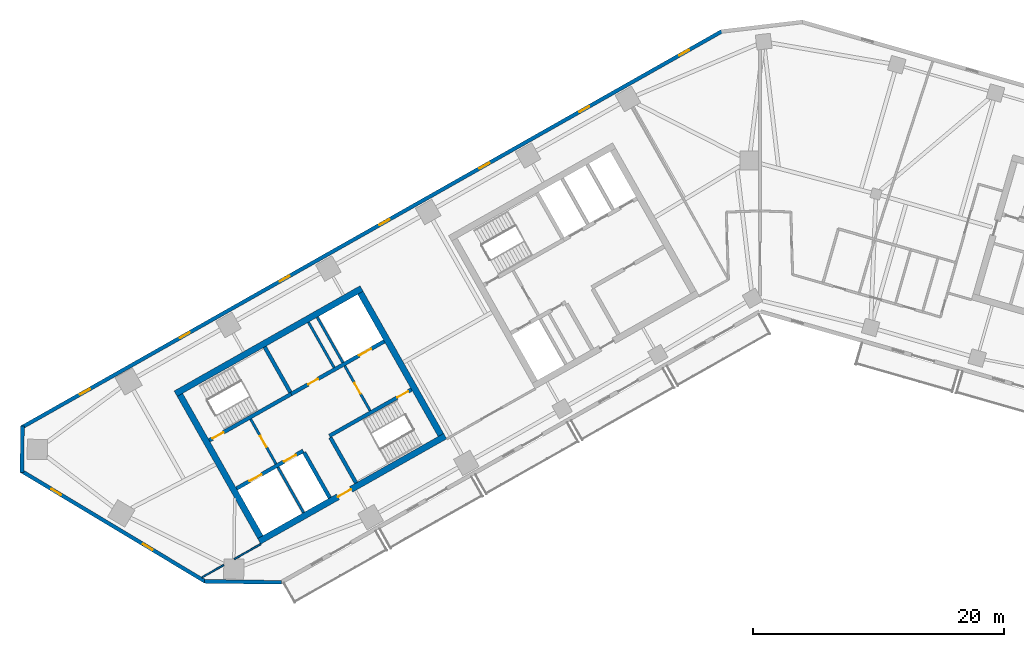
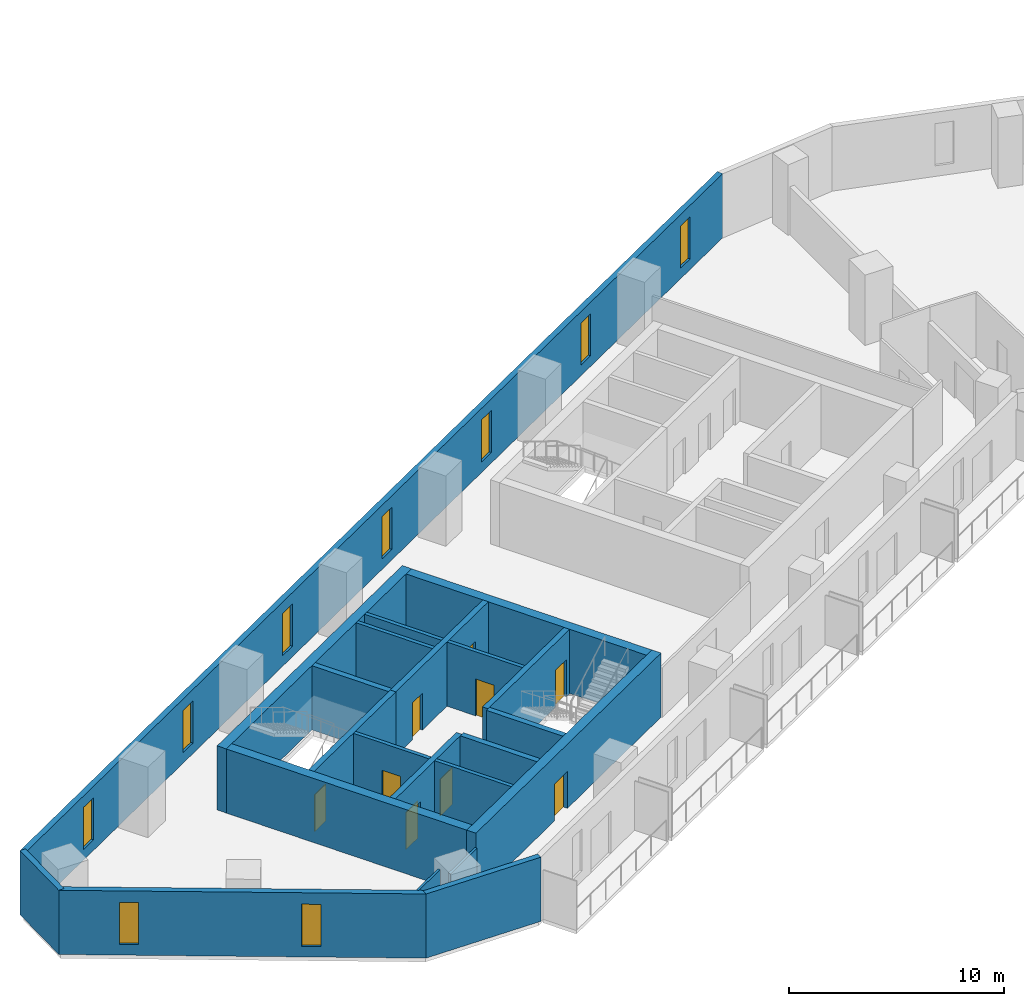
# One storey, part 3 of 9: 22 walls, 9 doors, 9 windows, 18 openings.
"""IFC4 building model written with IfcOpenShell, lengths in metres."""

from ifc_helpers import new_model, si_unit, direction, frame, frame_2d, origin, place, context, subcontext, project, spatial, rectangle, extrude, material, layer, layer_set, type_object, element, fill, save


model = new_model("IFC4")

# Units and contexts
model_context = context("Model", 3, precision=1e-05, world=origin(), true_north=direction((0.0, 1.0)))
body_context = subcontext(model_context, "Body", "Model", "MODEL_VIEW")
ifc_project = project(units=[si_unit("LENGTHUNIT", "METRE"), si_unit("AREAUNIT", "SQUARE_METRE"), si_unit("VOLUMEUNIT", "CUBIC_METRE"), si_unit("PLANEANGLEUNIT", "RADIAN"), si_unit("MASSUNIT", "GRAM", prefix="KILO")], contexts=[model_context])

# Site, building, storey
site_placement = place(None, origin())
site = spatial("IfcSite", under=ifc_project, at=site_placement, CompositionType="ELEMENT")
building_placement = place(site_placement, origin())
building = spatial("IfcBuilding", under=site, at=building_placement, Name="Binnacle Exchange Tower", CompositionType="ELEMENT")
storey_placement = place(building_placement, frame((0.0, 0.0, 198.89990234375)))
storey = spatial("IfcBuildingStorey", under=building, at=storey_placement, Name="L43", CompositionType="ELEMENT", Elevation=198.89990234375)

# Wall, openings, doors
ifc_material_1 = material(Name="Concrete C70/85", Category="concrete")
ifc_layer_1 = layer(ifc_material_1, 0.300048828125)
ifc_layer_set_1 = layer_set([ifc_layer_1], Name="Core wall - front 300")
wall_type_1 = type_object("IfcWallType", Name="Core wall - front 300", PredefinedType="SOLIDWALL", material=ifc_layer_set_1)
wall_1_placement = place(storey_placement, frame((-41.64306640625, 33.91162109375, 0.0), z_axis=(0.0, 0.0, 1.0), x_axis=(0.870343599782, 0.492444939378, 0.0)))
wall_1 = element("IfcWall", 1, at=wall_1_placement, inside=storey, type_object=wall_type_1, Name="Core wall CRWA2", PredefinedType="SOLIDWALL", context=body_context, shape_type="SweptSolid", body=[
    extrude(rectangle(XDim=6.10009765625, YDim=0.300048828125, at=frame_2d((3.050048828125, 0.0))), origin(), (0.0, 0.0, 1.0), 3.650146484375),
])
opening_1_placement = place(wall_1_placement, frame((1.199951171875, 0.0, 0.0)))
opening_1 = element("IfcOpeningElement", 2, at=opening_1_placement, cuts=wall_1, Name="Opening LD12", PredefinedType="OPENING", context=body_context, shape_type="SweptSolid", body=[
    extrude(rectangle(XDim=1.10009765625, YDim=2.10009765625, at=frame_2d((0.550048828125, 1.050048828125))), frame((0.0, 0.159912109375, 0.0), z_axis=(0.0, -1.0, 0.0), x_axis=(1.0, 0.0, 0.0)), (0.0, 0.0, 1.0), 0.320068359375),
])
opening_2_placement = place(wall_1_placement, frame((4.35009765625, 0.0, 0.0)))
opening_2 = element("IfcOpeningElement", 3, at=opening_2_placement, cuts=wall_1, Name="Opening LD8", PredefinedType="OPENING", context=body_context, shape_type="SweptSolid", body=[
    extrude(rectangle(XDim=1.10009765625, YDim=2.10009765625, at=frame_2d((0.550048828125, 1.050048828125))), frame((0.0, 0.159912109375, 0.0), z_axis=(0.0, -1.0, 0.0), x_axis=(1.0, 0.0, 0.0)), (0.0, 0.0, 1.0), 0.320068359375),
])
ifc_material_2 = material(Name="Steel door leaf", Category="steel")
door_type_1 = type_object("IfcDoorType", Name="Fire door - lift landing 1100", OperationType="NOTDEFINED", PredefinedType="DOOR", material=ifc_material_2)
door_1_placement = place(opening_1_placement, origin())
door_1 = element("IfcDoor", 4, at=door_1_placement, inside=storey, type_object=door_type_1, Name="Landing door LD12 L43", OperationType="DOUBLE_DOOR_SLIDING", OverallHeight=2.10009765625, OverallWidth=1.10009765625, PredefinedType="DOOR", context=body_context, shape_type="SweptSolid", body=[
    extrude(rectangle(XDim=1.10009765625, YDim=2.10009765625, at=frame_2d((0.550048828125, 1.050048828125))), frame((0.0, 0.02490234375, 0.0), z_axis=(0.0, -1.0, 0.0), x_axis=(1.0, 0.0, 0.0)), (0.0, 0.0, 1.0), 0.050048828125),
])
fill(opening_1, door_1)
door_2_placement = place(opening_2_placement, origin())
door_2 = element("IfcDoor", 5, at=door_2_placement, inside=storey, type_object=door_type_1, Name="Landing door LD8 L43", OperationType="DOUBLE_DOOR_SLIDING", OverallHeight=2.10009765625, OverallWidth=1.10009765625, PredefinedType="DOOR", context=body_context, shape_type="SweptSolid", body=[
    extrude(rectangle(XDim=1.10009765625, YDim=2.10009765625, at=frame_2d((0.550048828125, 1.050048828125))), frame((0.0, 0.02490234375, 0.0), z_axis=(0.0, -1.0, 0.0), x_axis=(1.0, 0.0, 0.0)), (0.0, 0.0, 1.0), 0.050048828125),
])
fill(opening_2, door_2)

wall_2_placement = place(storey_placement, frame((-37.281982421875, 41.4345703125, 0.0), z_axis=(0.0, 0.0, 1.0), x_axis=(0.870356271124, 0.492422543467, 0.0)))
wall_2 = element("IfcWall", 6, at=wall_2_placement, inside=storey, type_object=wall_type_1, Name="Core wall CRWA5", PredefinedType="SOLIDWALL", context=body_context, shape_type="SweptSolid", body=[
    extrude(rectangle(XDim=8.5, YDim=0.300048828125, at=frame_2d((4.25, 0.0))), origin(), (0.0, 0.0, 1.0), 3.650146484375),
])
opening_3_placement = place(wall_2_placement, frame((6.199951171875, 0.0, 0.0)))
opening_3 = element("IfcOpeningElement", 7, at=opening_3_placement, cuts=wall_2, Name="Opening LD13", PredefinedType="OPENING", context=body_context, shape_type="SweptSolid", body=[
    extrude(rectangle(XDim=1.10009765625, YDim=2.10009765625, at=frame_2d((0.550048828125, 1.050048828125))), frame((0.0, 0.159912109375, 0.0), z_axis=(0.0, -1.0, 0.0), x_axis=(1.0, 0.0, 0.0)), (0.0, 0.0, 1.0), 0.320068359375),
])
opening_4_placement = place(wall_2_placement, frame((1.550048828125, 0.0, 0.0)))
opening_4 = element("IfcOpeningElement", 8, at=opening_4_placement, cuts=wall_2, Name="Opening DA10", PredefinedType="OPENING", context=body_context, shape_type="SweptSolid", body=[
    extrude(rectangle(XDim=0.89990234375, YDim=2.10009765625, at=frame_2d((0.449951171875, 1.050048828125))), frame((0.0, 0.159912109375, 0.0), z_axis=(0.0, -1.0, 0.0), x_axis=(1.0, 0.0, 0.0)), (0.0, 0.0, 1.0), 0.320068359375),
])
door_3_placement = place(opening_3_placement, origin())
door_3 = element("IfcDoor", 9, at=door_3_placement, inside=storey, type_object=door_type_1, Name="Landing door LD13 L43", OperationType="DOUBLE_DOOR_SLIDING", OverallHeight=2.10009765625, OverallWidth=1.10009765625, PredefinedType="DOOR", context=body_context, shape_type="SweptSolid", body=[
    extrude(rectangle(XDim=1.10009765625, YDim=2.10009765625, at=frame_2d((0.550048828125, 1.050048828125))), frame((0.0, 0.02490234375, 0.0), z_axis=(0.0, -1.0, 0.0), x_axis=(1.0, 0.0, 0.0)), (0.0, 0.0, 1.0), 0.050048828125),
])
fill(opening_3, door_3)
door_type_2 = type_object("IfcDoorType", Name="Fire door 900", OperationType="NOTDEFINED", PredefinedType="DOOR", material=ifc_material_2)
door_4_placement = place(opening_4_placement, origin())
door_4 = element("IfcDoor", 10, at=door_4_placement, inside=storey, type_object=door_type_2, Name="Core room door PANTRY", OperationType="SINGLE_SWING_LEFT", OverallHeight=2.10009765625, OverallWidth=0.89990234375, PredefinedType="DOOR", context=body_context, shape_type="SweptSolid", body=[
    extrude(rectangle(XDim=0.89990234375, YDim=2.10009765625, at=frame_2d((0.449951171875, 1.050048828125))), frame((0.0, 0.02490234375, 0.0), z_axis=(0.0, -1.0, 0.0), x_axis=(1.0, 0.0, 0.0)), (0.0, 0.0, 1.0), 0.050048828125),
])
fill(opening_4, door_4)

# Wall
wall_3_placement = place(storey_placement, frame((-36.260009765625, 36.784912109375, 0.0), z_axis=(0.0, 0.0, 1.0), x_axis=(0.492421666909, -0.870356767055, 0.0)))
element("IfcWall", 11, at=wall_3_placement, inside=storey, type_object=wall_type_1, Name="Core wall CRWA13", PredefinedType="SOLIDWALL", context=body_context, shape_type="SweptSolid", body=[
    extrude(rectangle(XDim=4.14990234375, YDim=0.300048828125, at=frame_2d((2.074951171875, 0.0))), origin(), (0.0, 0.0, 1.0), 3.650146484375),
])

# Wall, opening, door
ifc_layer_2 = layer(ifc_material_1, 0.5)
ifc_layer_set_2 = layer_set([ifc_layer_2], Name="Core wall - outer 500")
wall_type_2 = type_object("IfcWallType", Name="Core wall - outer 500", PredefinedType="SOLIDWALL", material=ifc_layer_set_2)
wall_4_placement = place(storey_placement, frame((-39.837646484375, 29.705322265625, 0.0), z_axis=(0.0, 0.0, 1.0), x_axis=(0.870350116061, 0.492433422375, 0.0)))
wall_4 = element("IfcWall", 12, at=wall_4_placement, inside=storey, type_object=wall_type_2, Name="Core wall CRWA1", PredefinedType="SOLIDWALL", context=body_context, shape_type="SweptSolid", body=[
    extrude(rectangle(XDim=17.0, YDim=0.5, at=frame_2d((8.5, 0.0))), origin(), (0.0, 0.0, 1.0), 3.650146484375),
])
opening_5_placement = place(wall_4_placement, frame((7.199951171875, 0.0, 0.0)))
opening_5 = element("IfcOpeningElement", 13, at=opening_5_placement, cuts=wall_4, Name="Opening DA7", PredefinedType="OPENING", context=body_context, shape_type="SweptSolid", body=[
    extrude(rectangle(XDim=1.199951171875, YDim=2.10009765625, at=frame_2d((0.60009765625, 1.050048828125))), frame((0.0, 0.260009765625, 0.0), z_axis=(0.0, -1.0, 0.0), x_axis=(1.0, 0.0, 0.0)), (0.0, 0.0, 1.0), 0.52001953125),
])
door_type_3 = type_object("IfcDoorType", Name="Fire door 1200", OperationType="NOTDEFINED", PredefinedType="DOOR", material=ifc_material_2)
door_5_placement = place(opening_5_placement, frame((1.199951171875, 0.0, 0.0), z_axis=(0.0, 0.0, 1.0), x_axis=(-1.0, 0.0, 0.0)))
door_5 = element("IfcDoor", 14, at=door_5_placement, inside=storey, type_object=door_type_3, Name="Lift lobby entrance door core A", OperationType="SINGLE_SWING_RIGHT", OverallHeight=2.10009765625, OverallWidth=1.199951171875, PredefinedType="DOOR", context=body_context, shape_type="SweptSolid", body=[
    extrude(rectangle(XDim=1.199951171875, YDim=2.10009765625, at=frame_2d((0.60009765625, 1.050048828125))), frame((0.0, 0.02490234375, 0.0), z_axis=(0.0, -1.0, 0.0), x_axis=(1.0, 0.0, 0.0)), (0.0, 0.0, 1.0), 0.050048828125),
])
fill(opening_5, door_5)

# Walls
wall_5_placement = place(storey_placement, frame((-46.485595703125, 41.455078125, 0.0), z_axis=(0.0, 0.0, 1.0), x_axis=(0.870353598469, 0.492427267353, 0.0)))
element("IfcWall", 15, at=wall_5_placement, inside=storey, type_object=wall_type_2, Name="Core wall CRWA6", PredefinedType="SOLIDWALL", context=body_context, shape_type="SweptSolid", body=[
    extrude(rectangle(XDim=17.000244140625, YDim=0.5, at=frame_2d((8.5, 0.0))), origin(), (0.0, 0.0, 1.0), 3.650146484375),
])
for number, where, z_axis, x_axis, name in (
    (16, (-46.144775390625, 41.360595703125, 0.0), (0.0, 0.0, 1.0), (0.492435316254, -0.870349044525, 0.0), "Core wall CRWA7"),
    (17, (-31.783935546875, 49.485595703125, 0.0), (0.0, 0.0, 1.0), (0.492435316254, -0.870349044525, 0.0), "Core wall CRWA22"),
):
    element("IfcWall", number, at=place(storey_placement, frame(where, z_axis=z_axis, x_axis=x_axis)), inside=storey, type_object=wall_type_2, Name=name, PredefinedType="SOLIDWALL", context=body_context, shape_type="SweptSolid", body=[
        extrude(rectangle(XDim=13.0, YDim=0.5, at=frame_2d((6.5, 0.0))), origin(), (0.0, 0.0, 1.0), 3.650146484375),
    ])

# Wall, opening, door
ifc_layer_3 = layer(ifc_material_1, 0.300048828125)
ifc_layer_set_3 = layer_set([ifc_layer_3], Name="Core wall - stair 300")
wall_type_3 = type_object("IfcWallType", Name="Core wall - stair 300", PredefinedType="SOLIDWALL", material=ifc_layer_set_3)
wall_6_placement = place(storey_placement, frame((-34.2451171875, 38.097412109375, 0.0), z_axis=(0.0, 0.0, 1.0), x_axis=(0.870364520461, 0.492407962489, 0.0)))
wall_6 = element("IfcWall", 18, at=wall_6_placement, inside=storey, type_object=wall_type_3, Name="Core wall CRWA3", PredefinedType="SOLIDWALL", context=body_context, shape_type="SweptSolid", body=[
    extrude(rectangle(XDim=7.5, YDim=0.300048828125, at=frame_2d((3.75, 0.0))), origin(), (0.0, 0.0, 1.0), 3.650146484375),
])
opening_6_placement = place(wall_6_placement, frame((6.199951171875, 0.0, 0.0)))
opening_6 = element("IfcOpeningElement", 19, at=opening_6_placement, cuts=wall_6, Name="Opening DA2", PredefinedType="OPENING", context=body_context, shape_type="SweptSolid", body=[
    extrude(rectangle(XDim=1.0, YDim=2.10009765625, at=frame_2d((0.5, 1.050048828125))), frame((0.0, 0.159912109375, 0.0), z_axis=(0.0, -1.0, 0.0), x_axis=(1.0, 0.0, 0.0)), (0.0, 0.0, 1.0), 0.320068359375),
])
door_type_4 = type_object("IfcDoorType", Name="Fire door 1000", OperationType="NOTDEFINED", PredefinedType="DOOR", material=ifc_material_2)
door_6_placement = place(opening_6_placement, frame((1.0, 0.0, 0.0), z_axis=(0.0, 0.0, 1.0), x_axis=(-1.0, 0.0, 0.0)))
door_6 = element("IfcDoor", 20, at=door_6_placement, inside=storey, type_object=door_type_4, Name="Stair door ST-A2", OperationType="SINGLE_SWING_LEFT", OverallHeight=2.10009765625, OverallWidth=1.0, PredefinedType="DOOR", context=body_context, shape_type="SweptSolid", body=[
    extrude(rectangle(XDim=1.0, YDim=2.10009765625, at=frame_2d((0.5, 1.050048828125))), frame((0.0, 0.02490234375, 0.0), z_axis=(0.0, -1.0, 0.0), x_axis=(1.0, 0.0, 0.0)), (0.0, 0.0, 1.0), 0.050048828125),
])
fill(opening_6, door_6)

wall_7_placement = place(storey_placement, frame((-43.809814453125, 37.7412109375, 0.0), z_axis=(0.0, 0.0, 1.0), x_axis=(0.870350569555, 0.492432620848, 0.0)))
wall_7 = element("IfcWall", 21, at=wall_7_placement, inside=storey, type_object=wall_type_3, Name="Core wall CRWA4", PredefinedType="SOLIDWALL", context=body_context, shape_type="SweptSolid", body=[
    extrude(rectangle(XDim=7.500244140625, YDim=0.300048828125, at=frame_2d((3.75, 0.0))), origin(), (0.0, 0.0, 1.0), 3.650146484375),
])
opening_7_placement = place(wall_7_placement, frame((0.2998046875, 0.0, 0.0)))
opening_7 = element("IfcOpeningElement", 22, at=opening_7_placement, cuts=wall_7, Name="Opening DA1", PredefinedType="OPENING", context=body_context, shape_type="SweptSolid", body=[
    extrude(rectangle(XDim=1.0, YDim=2.10009765625, at=frame_2d((0.5, 1.050048828125))), frame((0.0, 0.159912109375, 0.0), z_axis=(0.0, -1.0, 0.0), x_axis=(1.0, 0.0, 0.0)), (0.0, 0.0, 1.0), 0.320068359375),
])
door_7_placement = place(opening_7_placement, origin())
door_7 = element("IfcDoor", 23, at=door_7_placement, inside=storey, type_object=door_type_4, Name="Stair door ST-A1", OperationType="SINGLE_SWING_LEFT", OverallHeight=2.10009765625, OverallWidth=1.0, PredefinedType="DOOR", context=body_context, shape_type="SweptSolid", body=[
    extrude(rectangle(XDim=1.0, YDim=2.10009765625, at=frame_2d((0.5, 1.050048828125))), frame((0.0, 0.02490234375, 0.0), z_axis=(0.0, -1.0, 0.0), x_axis=(1.0, 0.0, 0.0)), (0.0, 0.0, 1.0), 0.050048828125),
])
fill(opening_7, door_7)

# Walls
for number, where, z_axis, x_axis, name in (
    (24, (-39.3994140625, 45.177001953125, 0.0), (0.0, 0.0, 1.0), (0.492396453737, -0.870371031427, 0.0), "Core wall CRWA14"),
    (25, (-34.171142578125, 37.966796875, 0.0), (0.0, 0.0, 1.0), (0.492396453737, -0.870371031427, 0.0), "Core wall CRWA16"),
):
    element("IfcWall", number, at=place(storey_placement, frame(where, z_axis=z_axis, x_axis=x_axis)), inside=storey, type_object=wall_type_3, Name=name, PredefinedType="SOLIDWALL", context=body_context, shape_type="SweptSolid", body=[
        extrude(rectangle(XDim=4.14990234375, YDim=0.300048828125, at=frame_2d((2.074951171875, 0.0))), origin(), (0.0, 0.0, 1.0), 3.650146484375),
    ])
ifc_material_3 = material(Name="Bronze aluminium cladding", Category="aluminium")
ifc_layer_4 = layer(ifc_material_3, 0.300048828125)
ifc_layer_set_4 = layer_set([ifc_layer_4], Name="External wall - spandrel 300")
wall_type_4 = type_object("IfcWallType", Name="External wall - spandrel 300", PredefinedType="STANDARD", material=ifc_layer_set_4)
wall_8_placement = place(storey_placement, frame((-38.057373046875, 26.44482421875, 0.0), z_axis=(0.0, 0.0, 1.0), x_axis=(-0.999914086342, 0.013108010296, 0.0)))
element("IfcWall", 26, at=wall_8_placement, inside=storey, type_object=wall_type_4, Name="External wall EW-G00 L43", PredefinedType="STANDARD", context=body_context, shape_type="SweptSolid", body=[
    extrude(rectangle(XDim=6.127685546875, YDim=0.300048828125, at=frame_2d((3.06396484375, 0.0))), origin(), (0.0, 0.0, 1.0), 3.650146484375),
])

# Wall, openings, windows
wall_9_placement = place(storey_placement, frame((-58.744873046875, 38.763671875, 0.0), z_axis=(0.0, 0.0, 1.0), x_axis=(0.870355811726, 0.492423355453, 0.0)))
wall_9 = element("IfcWall", 27, at=wall_9_placement, inside=storey, type_object=wall_type_4, Name="External wall EW-G08 L43", PredefinedType="STANDARD", context=body_context, shape_type="SweptSolid", body=[
    extrude(rectangle(XDim=64.025390625, YDim=0.300048828125, at=frame_2d((32.0126953125, 0.0))), origin(), (0.0, 0.0, 1.0), 3.650146484375),
])
opening_8_placement = place(wall_9_placement, frame((60.12158203125, 0.0, 0.60009765625)))
opening_8 = element("IfcOpeningElement", 28, at=opening_8_placement, cuts=wall_9, Name="Opening WS3", PredefinedType="OPENING", context=body_context, shape_type="SweptSolid", body=[
    extrude(rectangle(XDim=0.89990234375, YDim=2.39990234375, at=frame_2d((0.449951171875, 1.199951171875))), frame((0.0, 0.159912109375, 0.0), z_axis=(0.0, -1.0, 0.0), x_axis=(1.0, 0.0, 0.0)), (0.0, 0.0, 1.0), 0.320068359375),
])
opening_9_placement = place(wall_9_placement, frame((50.99169921875, 0.0, 0.60009765625)))
opening_9 = element("IfcOpeningElement", 29, at=opening_9_placement, cuts=wall_9, Name="Opening WS3", PredefinedType="OPENING", context=body_context, shape_type="SweptSolid", body=[
    extrude(rectangle(XDim=0.89990234375, YDim=2.39990234375, at=frame_2d((0.449951171875, 1.199951171875))), frame((0.0, 0.159912109375, 0.0), z_axis=(0.0, -1.0, 0.0), x_axis=(1.0, 0.0, 0.0)), (0.0, 0.0, 1.0), 0.320068359375),
])
opening_10_placement = place(wall_9_placement, frame((41.86181640625, 0.0, 0.60009765625)))
opening_10 = element("IfcOpeningElement", 30, at=opening_10_placement, cuts=wall_9, Name="Opening WS3", PredefinedType="OPENING", context=body_context, shape_type="SweptSolid", body=[
    extrude(rectangle(XDim=0.89990234375, YDim=2.39990234375, at=frame_2d((0.449951171875, 1.199951171875))), frame((0.0, 0.159912109375, 0.0), z_axis=(0.0, -1.0, 0.0), x_axis=(1.0, 0.0, 0.0)), (0.0, 0.0, 1.0), 0.320068359375),
])
opening_11_placement = place(wall_9_placement, frame((32.73193359375, 0.0, 0.60009765625)))
opening_11 = element("IfcOpeningElement", 31, at=opening_11_placement, cuts=wall_9, Name="Opening WS3", PredefinedType="OPENING", context=body_context, shape_type="SweptSolid", body=[
    extrude(rectangle(XDim=0.89990234375, YDim=2.39990234375, at=frame_2d((0.449951171875, 1.199951171875))), frame((0.0, 0.159912109375, 0.0), z_axis=(0.0, -1.0, 0.0), x_axis=(1.0, 0.0, 0.0)), (0.0, 0.0, 1.0), 0.320068359375),
])
opening_12_placement = place(wall_9_placement, frame((23.60205078125, 0.0, 0.60009765625)))
opening_12 = element("IfcOpeningElement", 32, at=opening_12_placement, cuts=wall_9, Name="Opening WS3", PredefinedType="OPENING", context=body_context, shape_type="SweptSolid", body=[
    extrude(rectangle(XDim=0.89990234375, YDim=2.39990234375, at=frame_2d((0.449951171875, 1.199951171875))), frame((0.0, 0.159912109375, 0.0), z_axis=(0.0, -1.0, 0.0), x_axis=(1.0, 0.0, 0.0)), (0.0, 0.0, 1.0), 0.320068359375),
])
opening_13_placement = place(wall_9_placement, frame((14.47216796875, 0.0, 0.60009765625)))
opening_13 = element("IfcOpeningElement", 33, at=opening_13_placement, cuts=wall_9, Name="Opening WS3", PredefinedType="OPENING", context=body_context, shape_type="SweptSolid", body=[
    extrude(rectangle(XDim=0.89990234375, YDim=2.39990234375, at=frame_2d((0.449951171875, 1.199951171875))), frame((0.0, 0.159912109375, 0.0), z_axis=(0.0, -1.0, 0.0), x_axis=(1.0, 0.0, 0.0)), (0.0, 0.0, 1.0), 0.320068359375),
])
opening_14_placement = place(wall_9_placement, frame((5.34228515625, 0.0, 0.60009765625)))
opening_14 = element("IfcOpeningElement", 34, at=opening_14_placement, cuts=wall_9, Name="Opening WS3", PredefinedType="OPENING", context=body_context, shape_type="SweptSolid", body=[
    extrude(rectangle(XDim=0.89990234375, YDim=2.39990234375, at=frame_2d((0.449951171875, 1.199951171875))), frame((0.0, 0.159912109375, 0.0), z_axis=(0.0, -1.0, 0.0), x_axis=(1.0, 0.0, 0.0)), (0.0, 0.0, 1.0), 0.320068359375),
])
ifc_material_4 = material(Name="Bronze anodised aluminium frame", Category="aluminium")
window_type = type_object("IfcWindowType", Name="WS3 WINDOW 900x2400", PartitioningType="SINGLE_PANEL", PredefinedType="WINDOW", material=ifc_material_4)
window_1_placement = place(opening_8_placement, origin())
window_1 = element("IfcWindow", 35, at=window_1_placement, inside=storey, type_object=window_type, Name="Window WS3 L43", OverallHeight=2.39990234375, OverallWidth=0.89990234375, PartitioningType="SINGLE_PANEL", PredefinedType="WINDOW", context=body_context, shape_type="SweptSolid", body=[
    extrude(rectangle(XDim=0.89990234375, YDim=2.39990234375, at=frame_2d((0.449951171875, 1.199951171875))), frame((0.0, 0.030029296875, 0.0), z_axis=(0.0, -1.0, 0.0), x_axis=(1.0, 0.0, 0.0)), (0.0, 0.0, 1.0), 0.06005859375),
])
fill(opening_8, window_1)
window_2_placement = place(opening_9_placement, origin())
window_2 = element("IfcWindow", 36, at=window_2_placement, inside=storey, type_object=window_type, Name="Window WS3 L43", OverallHeight=2.39990234375, OverallWidth=0.89990234375, PartitioningType="SINGLE_PANEL", PredefinedType="WINDOW", context=body_context, shape_type="SweptSolid", body=[
    extrude(rectangle(XDim=0.89990234375, YDim=2.39990234375, at=frame_2d((0.449951171875, 1.199951171875))), frame((0.0, 0.030029296875, 0.0), z_axis=(0.0, -1.0, 0.0), x_axis=(1.0, 0.0, 0.0)), (0.0, 0.0, 1.0), 0.06005859375),
])
fill(opening_9, window_2)
window_3_placement = place(opening_10_placement, origin())
window_3 = element("IfcWindow", 37, at=window_3_placement, inside=storey, type_object=window_type, Name="Window WS3 L43", OverallHeight=2.39990234375, OverallWidth=0.89990234375, PartitioningType="SINGLE_PANEL", PredefinedType="WINDOW", context=body_context, shape_type="SweptSolid", body=[
    extrude(rectangle(XDim=0.89990234375, YDim=2.39990234375, at=frame_2d((0.449951171875, 1.199951171875))), frame((0.0, 0.030029296875, 0.0), z_axis=(0.0, -1.0, 0.0), x_axis=(1.0, 0.0, 0.0)), (0.0, 0.0, 1.0), 0.06005859375),
])
fill(opening_10, window_3)
window_4_placement = place(opening_11_placement, origin())
window_4 = element("IfcWindow", 38, at=window_4_placement, inside=storey, type_object=window_type, Name="Window WS3 L43", OverallHeight=2.39990234375, OverallWidth=0.89990234375, PartitioningType="SINGLE_PANEL", PredefinedType="WINDOW", context=body_context, shape_type="SweptSolid", body=[
    extrude(rectangle(XDim=0.89990234375, YDim=2.39990234375, at=frame_2d((0.449951171875, 1.199951171875))), frame((0.0, 0.030029296875, 0.0), z_axis=(0.0, -1.0, 0.0), x_axis=(1.0, 0.0, 0.0)), (0.0, 0.0, 1.0), 0.06005859375),
])
fill(opening_11, window_4)
window_5_placement = place(opening_12_placement, origin())
window_5 = element("IfcWindow", 39, at=window_5_placement, inside=storey, type_object=window_type, Name="Window WS3 L43", OverallHeight=2.39990234375, OverallWidth=0.89990234375, PartitioningType="SINGLE_PANEL", PredefinedType="WINDOW", context=body_context, shape_type="SweptSolid", body=[
    extrude(rectangle(XDim=0.89990234375, YDim=2.39990234375, at=frame_2d((0.449951171875, 1.199951171875))), frame((0.0, 0.030029296875, 0.0), z_axis=(0.0, -1.0, 0.0), x_axis=(1.0, 0.0, 0.0)), (0.0, 0.0, 1.0), 0.06005859375),
])
fill(opening_12, window_5)
window_6_placement = place(opening_13_placement, origin())
window_6 = element("IfcWindow", 40, at=window_6_placement, inside=storey, type_object=window_type, Name="Window WS3 L43", OverallHeight=2.39990234375, OverallWidth=0.89990234375, PartitioningType="SINGLE_PANEL", PredefinedType="WINDOW", context=body_context, shape_type="SweptSolid", body=[
    extrude(rectangle(XDim=0.89990234375, YDim=2.39990234375, at=frame_2d((0.449951171875, 1.199951171875))), frame((0.0, 0.030029296875, 0.0), z_axis=(0.0, -1.0, 0.0), x_axis=(1.0, 0.0, 0.0)), (0.0, 0.0, 1.0), 0.06005859375),
])
fill(opening_13, window_6)
window_7_placement = place(opening_14_placement, origin())
window_7 = element("IfcWindow", 41, at=window_7_placement, inside=storey, type_object=window_type, Name="Window WS3 L43", OverallHeight=2.39990234375, OverallWidth=0.89990234375, PartitioningType="SINGLE_PANEL", PredefinedType="WINDOW", context=body_context, shape_type="SweptSolid", body=[
    extrude(rectangle(XDim=0.89990234375, YDim=2.39990234375, at=frame_2d((0.449951171875, 1.199951171875))), frame((0.0, 0.030029296875, 0.0), z_axis=(0.0, -1.0, 0.0), x_axis=(1.0, 0.0, 0.0)), (0.0, 0.0, 1.0), 0.06005859375),
])
fill(opening_14, window_7)

# Wall
wall_10_placement = place(storey_placement, frame((-58.717041015625, 35.19384765625, 0.0), z_axis=(0.0, 0.0, 1.0), x_axis=(0.013069053407, 0.999914596275, 0.0)))
element("IfcWall", 42, at=wall_10_placement, inside=storey, type_object=wall_type_4, Name="External wall EW-G09 L43", PredefinedType="STANDARD", context=body_context, shape_type="SweptSolid", body=[
    extrude(rectangle(XDim=3.69873046875, YDim=0.300048828125, at=frame_2d((1.849365234375, 0.0))), origin(), (0.0, 0.0, 1.0), 3.650146484375),
])

# Wall, openings, windows
wall_11_placement = place(storey_placement, frame((-44.109375, 26.503662109375, 0.0), z_axis=(0.0, 0.0, 1.0), x_axis=(-0.857169502585, 0.515034410344, 0.0)))
wall_11 = element("IfcWall", 43, at=wall_11_placement, inside=storey, type_object=wall_type_4, Name="External wall EW-G10 L43", PredefinedType="STANDARD", context=body_context, shape_type="SweptSolid", body=[
    extrude(rectangle(XDim=17.126708984375, YDim=0.300048828125, at=frame_2d((8.5634765625, 0.0))), origin(), (0.0, 0.0, 1.0), 3.650146484375),
])
opening_15_placement = place(wall_11_placement, frame((13.403076171875, 0.0, 0.60009765625)))
opening_15 = element("IfcOpeningElement", 44, at=opening_15_placement, cuts=wall_11, Name="Opening WS3", PredefinedType="OPENING", context=body_context, shape_type="SweptSolid", body=[
    extrude(rectangle(XDim=0.89990234375, YDim=2.39990234375, at=frame_2d((0.449951171875, 1.199951171875))), frame((0.0, 0.159912109375, 0.0), z_axis=(0.0, -1.0, 0.0), x_axis=(1.0, 0.0, 0.0)), (0.0, 0.0, 1.0), 0.320068359375),
])
opening_16_placement = place(wall_11_placement, frame((4.903076171875, 0.0, 0.60009765625)))
opening_16 = element("IfcOpeningElement", 45, at=opening_16_placement, cuts=wall_11, Name="Opening WS3", PredefinedType="OPENING", context=body_context, shape_type="SweptSolid", body=[
    extrude(rectangle(XDim=0.89990234375, YDim=2.39990234375, at=frame_2d((0.449951171875, 1.199951171875))), frame((0.0, 0.159912109375, 0.0), z_axis=(0.0, -1.0, 0.0), x_axis=(1.0, 0.0, 0.0)), (0.0, 0.0, 1.0), 0.320068359375),
])
window_8_placement = place(opening_15_placement, origin())
window_8 = element("IfcWindow", 46, at=window_8_placement, inside=storey, type_object=window_type, Name="Window WS3 L43", OverallHeight=2.39990234375, OverallWidth=0.89990234375, PartitioningType="SINGLE_PANEL", PredefinedType="WINDOW", context=body_context, shape_type="SweptSolid", body=[
    extrude(rectangle(XDim=0.89990234375, YDim=2.39990234375, at=frame_2d((0.449951171875, 1.199951171875))), frame((0.0, 0.030029296875, 0.0), z_axis=(0.0, -1.0, 0.0), x_axis=(1.0, 0.0, 0.0)), (0.0, 0.0, 1.0), 0.06005859375),
])
fill(opening_15, window_8)
window_9_placement = place(opening_16_placement, origin())
window_9 = element("IfcWindow", 47, at=window_9_placement, inside=storey, type_object=window_type, Name="Window WS3 L43", OverallHeight=2.39990234375, OverallWidth=0.89990234375, PartitioningType="SINGLE_PANEL", PredefinedType="WINDOW", context=body_context, shape_type="SweptSolid", body=[
    extrude(rectangle(XDim=0.89990234375, YDim=2.39990234375, at=frame_2d((0.449951171875, 1.199951171875))), frame((0.0, 0.030029296875, 0.0), z_axis=(0.0, -1.0, 0.0), x_axis=(1.0, 0.0, 0.0)), (0.0, 0.0, 1.0), 0.06005859375),
])
fill(opening_16, window_9)

# Wall, opening, door
ifc_material_5 = material(Name="Masonry block wall", Category="masonry")
ifc_layer_5 = layer(ifc_material_5, 0.199951171875)
ifc_layer_set_5 = layer_set([ifc_layer_5], Name="Fire wall - vestibule 200")
wall_type_5 = type_object("IfcWallType", Name="Fire wall - vestibule 200", PredefinedType="PARTITIONING", material=ifc_layer_set_5)
wall_12_placement = place(storey_placement, frame((-40.515625, 39.4326171875, 0.0), z_axis=(0.0, 0.0, 1.0), x_axis=(0.492453559952, -0.87033872216, 0.0)))
wall_12 = element("IfcWall", 48, at=wall_12_placement, inside=storey, type_object=wall_type_5, Name="Core wall CRWA10", PredefinedType="PARTITIONING", context=body_context, shape_type="SweptSolid", body=[
    extrude(rectangle(XDim=4.099853515625, YDim=0.199951171875, at=frame_2d((2.0498046875, 0.0))), origin(), (0.0, 0.0, 1.0), 3.650146484375),
])
opening_17_placement = place(wall_12_placement, frame((1.550048828125, 0.0, 0.0)))
opening_17 = element("IfcOpeningElement", 49, at=opening_17_placement, cuts=wall_12, Name="Opening DA3", PredefinedType="OPENING", context=body_context, shape_type="SweptSolid", body=[
    extrude(rectangle(XDim=1.0, YDim=2.10009765625, at=frame_2d((0.5, 1.050048828125))), frame((0.0, 0.10986328125, 0.0), z_axis=(0.0, -1.0, 0.0), x_axis=(1.0, 0.0, 0.0)), (0.0, 0.0, 1.0), 0.219970703125),
])
door_8_placement = place(opening_17_placement, frame((1.0, 0.0, 0.0), z_axis=(0.0, 0.0, 1.0), x_axis=(-1.0, 0.0, 0.0)))
door_8 = element("IfcDoor", 50, at=door_8_placement, inside=storey, type_object=door_type_4, Name="Vestibule door VEST-W", OperationType="SINGLE_SWING_LEFT", OverallHeight=2.10009765625, OverallWidth=1.0, PredefinedType="DOOR", context=body_context, shape_type="SweptSolid", body=[
    extrude(rectangle(XDim=1.0, YDim=2.10009765625, at=frame_2d((0.5, 1.050048828125))), frame((0.0, 0.02490234375, 0.0), z_axis=(0.0, -1.0, 0.0), x_axis=(1.0, 0.0, 0.0)), (0.0, 0.0, 1.0), 0.050048828125),
])
fill(opening_17, door_8)

wall_13_placement = place(storey_placement, frame((-33.030517578125, 43.66748046875, 0.0), z_axis=(0.0, 0.0, 1.0), x_axis=(0.492408451753, -0.87036424366, 0.0)))
wall_13 = element("IfcWall", 51, at=wall_13_placement, inside=storey, type_object=wall_type_5, Name="Core wall CRWA19", PredefinedType="PARTITIONING", context=body_context, shape_type="SweptSolid", body=[
    extrude(rectangle(XDim=4.099853515625, YDim=0.199951171875, at=frame_2d((2.0498046875, 0.0))), origin(), (0.0, 0.0, 1.0), 3.650146484375),
])
opening_18_placement = place(wall_13_placement, frame((1.550048828125, 0.0, 0.0)))
opening_18 = element("IfcOpeningElement", 52, at=opening_18_placement, cuts=wall_13, Name="Opening DA4", PredefinedType="OPENING", context=body_context, shape_type="SweptSolid", body=[
    extrude(rectangle(XDim=1.0, YDim=2.10009765625, at=frame_2d((0.5, 1.050048828125))), frame((0.0, 0.10986328125, 0.0), z_axis=(0.0, -1.0, 0.0), x_axis=(1.0, 0.0, 0.0)), (0.0, 0.0, 1.0), 0.219970703125),
])
door_9_placement = place(opening_18_placement, origin())
door_9 = element("IfcDoor", 53, at=door_9_placement, inside=storey, type_object=door_type_4, Name="Vestibule door VEST-E", OperationType="SINGLE_SWING_RIGHT", OverallHeight=2.10009765625, OverallWidth=1.0, PredefinedType="DOOR", context=body_context, shape_type="SweptSolid", body=[
    extrude(rectangle(XDim=1.0, YDim=2.10009765625, at=frame_2d((0.5, 1.050048828125))), frame((0.0, 0.02490234375, 0.0), z_axis=(0.0, -1.0, 0.0), x_axis=(1.0, 0.0, 0.0)), (0.0, 0.0, 1.0), 0.050048828125),
])
fill(opening_18, door_9)

# Walls
ifc_material_6 = material(Name="Gypsum partition")
ifc_layer_6 = layer(ifc_material_6, 0.125)
ifc_layer_set_6 = layer_set([ifc_layer_6], Name="Partition 125")
wall_type_6 = type_object("IfcWallType", Name="Partition 125", PredefinedType="PARTITIONING", material=ifc_layer_set_6)
wall_14_placement = place(storey_placement, frame((-44.385986328125, 26.844970703125, 0.0), z_axis=(0.0, 0.0, 1.0), x_axis=(0.870453184796, 0.492251209322, 0.0)))
element("IfcWall", 54, at=wall_14_placement, inside=storey, type_object=wall_type_6, Name="Partition W01", PredefinedType="PARTITIONING", context=body_context, shape_type="SweptSolid", body=[
    extrude(rectangle(XDim=1.99072265625, YDim=0.125, at=frame_2d((0.995361328125, 0.0))), origin(), (0.0, 0.0, 1.0), 3.650146484375),
])
wall_15_placement = place(storey_placement, frame((-41.823974609375, 28.2939453125, 0.0), z_axis=(0.0, 0.0, 1.0), x_axis=(0.870189216305, 0.492717695873, 0.0)))
element("IfcWall", 55, at=wall_15_placement, inside=storey, type_object=wall_type_6, Name="Partition W02", PredefinedType="PARTITIONING", context=body_context, shape_type="SweptSolid", body=[
    extrude(rectangle(XDim=2.423583984375, YDim=0.125, at=frame_2d((1.2119140625, 0.0))), origin(), (0.0, 0.0, 1.0), 2.830078125),
])
ifc_layer_7 = layer(ifc_material_5, 0.199951171875)
ifc_layer_set_7 = layer_set([ifc_layer_7], Name="Riser wall 200")
wall_type_7 = type_object("IfcWallType", Name="Riser wall 200", PredefinedType="SOLIDWALL", material=ifc_layer_set_7)
wall_16_placement = place(storey_placement, frame((-35.918212890625, 47.146728515625, 0.0), z_axis=(0.0, 0.0, 1.0), x_axis=(0.492441017253, -0.870345818929, 0.0)))
element("IfcWall", 56, at=wall_16_placement, inside=storey, type_object=wall_type_7, Name="Core wall CRWA18", PredefinedType="SOLIDWALL", context=body_context, shape_type="SweptSolid", body=[
    extrude(rectangle(XDim=4.150146484375, YDim=0.199951171875, at=frame_2d((2.0751953125, 0.0))), origin(), (0.0, 0.0, 1.0), 3.650146484375),
])
wall_17_placement = place(storey_placement, frame((-35.2216796875, 47.54052734375, 0.0), z_axis=(0.0, 0.0, 1.0), x_axis=(0.492421666909, -0.870356767055, 0.0)))
element("IfcWall", 57, at=wall_17_placement, inside=storey, type_object=wall_type_7, Name="Core wall CRWA20", PredefinedType="SOLIDWALL", context=body_context, shape_type="SweptSolid", body=[
    extrude(rectangle(XDim=4.14990234375, YDim=0.199951171875, at=frame_2d((2.074951171875, 0.0))), origin(), (0.0, 0.0, 1.0), 3.650146484375),
])
ifc_layer_8 = layer(ifc_material_5, 0.199951171875)
ifc_layer_set_8 = layer_set([ifc_layer_8], Name="Shaft wall 200")
wall_type_8 = type_object("IfcWallType", Name="Shaft wall 200", PredefinedType="SOLIDWALL", material=ifc_layer_set_8)
wall_18_placement = place(storey_placement, frame((-38.348876953125, 35.603271484375, 0.0), z_axis=(0.0, 0.0, 1.0), x_axis=(0.492396453737, -0.870371031427, 0.0)))
element("IfcWall", 58, at=wall_18_placement, inside=storey, type_object=wall_type_8, Name="Core wall CRWA9", PredefinedType="SOLIDWALL", context=body_context, shape_type="SweptSolid", body=[
    extrude(rectangle(XDim=4.14990234375, YDim=0.199951171875, at=frame_2d((2.074951171875, 0.0))), origin(), (0.0, 0.0, 1.0), 3.650146484375),
])

save(model, "model.ifc")
